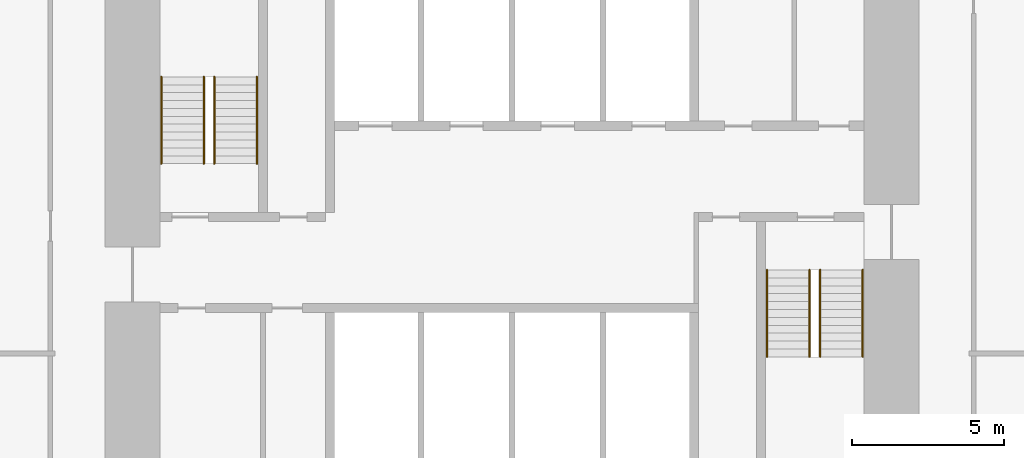
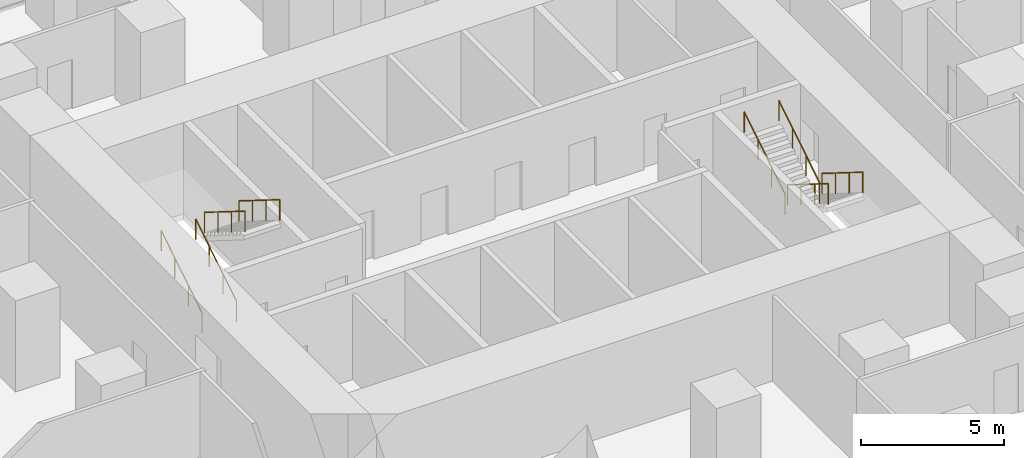
# One storey, part 12 of 12: 8 railings.
"""IFC4 building model written with IfcOpenShell, lengths in metres."""

from ifc_helpers import new_model, si_unit, direction, frame, origin, origin_2d, place, context, subcontext, project, spatial, circle, extrude, material, type_object, element, save


model = new_model("IFC4")

# Units and contexts
model_context = context("Model", 3, precision=1e-05, world=origin(), true_north=direction((0.0, 1.0)))
body_context = subcontext(model_context, "Body", "Model", "MODEL_VIEW")
ifc_project = project(units=[si_unit("LENGTHUNIT", "METRE"), si_unit("AREAUNIT", "SQUARE_METRE"), si_unit("VOLUMEUNIT", "CUBIC_METRE"), si_unit("PLANEANGLEUNIT", "RADIAN"), si_unit("MASSUNIT", "GRAM", prefix="KILO")], contexts=[model_context])

# Site, building, storey
site_placement = place(None, origin())
site = spatial("IfcSite", under=ifc_project, at=site_placement, CompositionType="ELEMENT")
building_placement = place(site_placement, origin())
building = spatial("IfcBuilding", under=site, at=building_placement, Name="Highveld Stack Headquarters", CompositionType="ELEMENT")
storey_placement = place(building_placement, frame((0.0, 0.0, 53.300048828125)))
storey = spatial("IfcBuildingStorey", under=building, at=storey_placement, Name="L12", CompositionType="ELEMENT", Elevation=53.300048828125)

# Railings
ifc_material = material(Name="Stainless steel handrail", Category="steel")
railing_type = type_object("IfcRailingType", Name="STAIR HANDRAIL HR1 900", PredefinedType="HANDRAIL", material=ifc_material)
for number, where, name in (
    (1, (-5.550048828125, 4.75, 0.162353515625), "Handrail S1 L12 flight 1"),
    (2, (-4.14990234375, 4.75, 0.162353515625), "Handrail S1 L12 flight 1"),
):
    element("IfcRailing", number, at=place(storey_placement, frame(where)), inside=storey, type_object=railing_type, Name=name, PredefinedType="HANDRAIL", context=body_context, shape_type="SweptSolid", body=[
        extrude(circle(Radius=0.02392578125, at=origin_2d()), frame((0.0, 0.0, 0.8759765625), z_axis=(0.0, 0.847994237388, 0.530005446535), x_axis=(-1.0, 0.0, 0.0)), (0.0, 0.0, 1.0), 3.372802734375),
        extrude(circle(Radius=0.02099609375, at=origin_2d()), origin(), (0.0, 0.0, 1.0), 0.851806640625),
        extrude(circle(Radius=0.02099609375, at=origin_2d()), frame((0.0, 0.953369140625, 0.595947265625)), (0.0, 0.0, 1.0), 0.851806640625),
        extrude(circle(Radius=0.02099609375, at=origin_2d()), frame((0.0, 1.90673828125, 1.191650390625)), (0.0, 0.0, 1.0), 0.851806640625),
        extrude(circle(Radius=0.02099609375, at=origin_2d()), frame((0.0, 2.860107421875, 1.78759765625)), (0.0, 0.0, 1.0), 0.851806640625),
    ])
for number, where, name in (
    (3, (-3.800048828125, 7.610107421875, 2.112548828125), "Handrail S1 L12 flight 2"),
    (4, (-2.39990234375, 7.610107421875, 2.112548828125), "Handrail S1 L12 flight 2"),
):
    element("IfcRailing", number, at=place(storey_placement, frame(where)), inside=storey, type_object=railing_type, Name=name, PredefinedType="HANDRAIL", context=body_context, shape_type="SweptSolid", body=[
        extrude(circle(Radius=0.02392578125, at=origin_2d()), frame((0.0, 0.0, 0.8759765625), z_axis=(0.0, -0.848026770018, 0.529953391661), x_axis=(1.0, 0.0, 0.0)), (0.0, 0.0, 1.0), 3.37255859375),
        extrude(circle(Radius=0.02099609375, at=origin_2d()), origin(), (0.0, 0.0, 1.0), 0.851806640625),
        extrude(circle(Radius=0.02099609375, at=origin_2d()), frame((0.0, -0.953369140625, 0.595703125)), (0.0, 0.0, 1.0), 0.851806640625),
        extrude(circle(Radius=0.02099609375, at=origin_2d()), frame((0.0, -1.90673828125, 1.191650390625)), (0.0, 0.0, 1.0), 0.851806640625),
        extrude(circle(Radius=0.02099609375, at=origin_2d()), frame((0.0, -2.860107421875, 1.787353515625)), (0.0, 0.0, 1.0), 0.851806640625),
    ])
for number, where, name in (
    (5, (16.14990234375, 1.25, 0.162353515625), "Handrail S2 L12 flight 1"),
    (6, (17.550048828125, 1.25, 0.162353515625), "Handrail S2 L12 flight 1"),
):
    element("IfcRailing", number, at=place(storey_placement, frame(where)), inside=storey, type_object=railing_type, Name=name, PredefinedType="HANDRAIL", context=body_context, shape_type="SweptSolid", body=[
        extrude(circle(Radius=0.02392578125, at=origin_2d()), frame((0.0, 0.0, 0.8759765625), z_axis=(0.0, -0.847994237388, 0.530005446535), x_axis=(1.0, 0.0, 0.0)), (0.0, 0.0, 1.0), 3.372802734375),
        extrude(circle(Radius=0.02099609375, at=origin_2d()), origin(), (0.0, 0.0, 1.0), 0.851806640625),
        extrude(circle(Radius=0.02099609375, at=origin_2d()), frame((0.0, -0.953369140625, 0.595947265625)), (0.0, 0.0, 1.0), 0.851806640625),
        extrude(circle(Radius=0.02099609375, at=origin_2d()), frame((0.0, -1.90673828125, 1.191650390625)), (0.0, 0.0, 1.0), 0.851806640625),
        extrude(circle(Radius=0.02099609375, at=origin_2d()), frame((0.0, -2.860107421875, 1.78759765625)), (0.0, 0.0, 1.0), 0.851806640625),
    ])
for number, where, name in (
    (7, (14.39990234375, -1.610107421875, 2.112548828125), "Handrail S2 L12 flight 2"),
    (8, (15.800048828125, -1.610107421875, 2.112548828125), "Handrail S2 L12 flight 2"),
):
    element("IfcRailing", number, at=place(storey_placement, frame(where)), inside=storey, type_object=railing_type, Name=name, PredefinedType="HANDRAIL", context=body_context, shape_type="SweptSolid", body=[
        extrude(circle(Radius=0.02392578125, at=origin_2d()), frame((0.0, 0.0, 0.8759765625), z_axis=(0.0, 0.848026770018, 0.529953391661), x_axis=(-1.0, 0.0, 0.0)), (0.0, 0.0, 1.0), 3.37255859375),
        extrude(circle(Radius=0.02099609375, at=origin_2d()), origin(), (0.0, 0.0, 1.0), 0.851806640625),
        extrude(circle(Radius=0.02099609375, at=origin_2d()), frame((0.0, 0.953369140625, 0.595703125)), (0.0, 0.0, 1.0), 0.851806640625),
        extrude(circle(Radius=0.02099609375, at=origin_2d()), frame((0.0, 1.90673828125, 1.191650390625)), (0.0, 0.0, 1.0), 0.851806640625),
        extrude(circle(Radius=0.02099609375, at=origin_2d()), frame((0.0, 2.860107421875, 1.787353515625)), (0.0, 0.0, 1.0), 0.851806640625),
    ])

save(model, "model.ifc")
